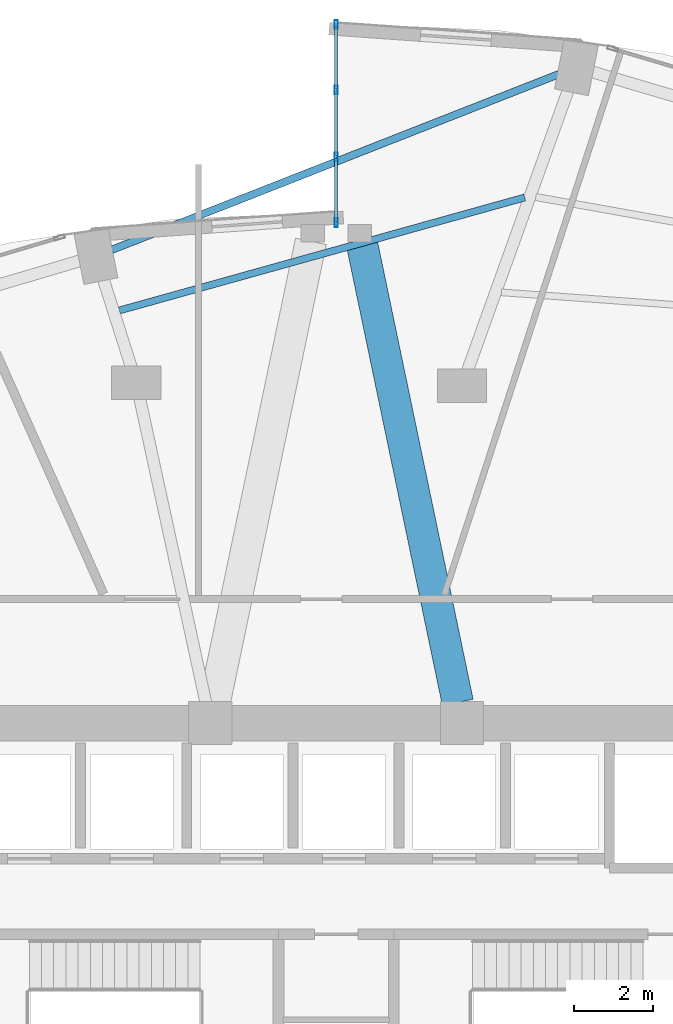
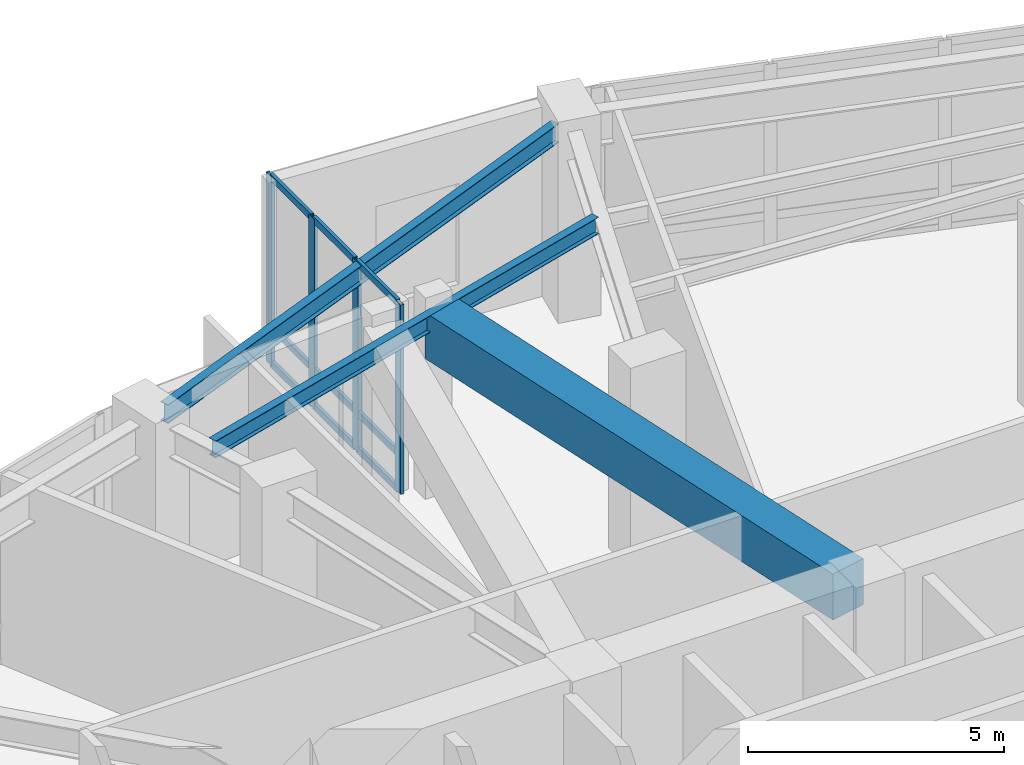
# One storey, part 15 of 24: 13 members, 3 beams, 1 element without a shape of its own.
"""IFC4 building model written with IfcOpenShell, lengths in metres."""

from ifc_helpers import new_model, si_unit, direction, frame, origin, origin_2d, place, context, subcontext, project, spatial, rectangle, hollow_rectangle, i_section, extrude, material, layer, layer_set, material_profile, profile_set, type_object, element, aggregate, save


model = new_model("IFC4")

# Units and contexts
model_context = context("Model", 3, precision=1e-05, world=origin(), true_north=direction((0.0, 1.0)))
body_context = subcontext(model_context, "Body", "Model", "MODEL_VIEW")
ifc_project = project(units=[si_unit("LENGTHUNIT", "METRE"), si_unit("AREAUNIT", "SQUARE_METRE"), si_unit("VOLUMEUNIT", "CUBIC_METRE"), si_unit("PLANEANGLEUNIT", "RADIAN"), si_unit("MASSUNIT", "GRAM", prefix="KILO")], contexts=[model_context])

# Site, building, storey
site_placement = place(None, origin())
site = spatial("IfcSite", under=ifc_project, at=site_placement, CompositionType="ELEMENT")
building_placement = place(site_placement, origin())
building = spatial("IfcBuilding", under=site, at=building_placement, Name="Lazwardi Medical Tower", CompositionType="ELEMENT")
storey_placement = place(building_placement, frame((0.0, 0.0, 6.0)))
storey = spatial("IfcBuildingStorey", under=building, at=storey_placement, Name="L01", CompositionType="ELEMENT", Elevation=6.0)

# Beams
ifc_material_1 = material(Name="Concrete C70/85", Category="concrete")
ifc_material_profile_1 = material_profile(ifc_material_1, rectangle(XDim=0.800048828125, YDim=1.10009765625, at=origin_2d()), Name="RC 800x1100")
ifc_profile_set_1 = profile_set([ifc_material_profile_1], Name="Concrete C70/85")
beam_type_1 = type_object("IfcBeamType", Name="BM-CB-RC1", PredefinedType="LINTEL", material=ifc_profile_set_1)
beam_1_placement = place(storey_placement, frame((39.090576171875, 36.123779296875, 3.969970703125), z_axis=(-0.204429747009, 0.978881238219, 0.0), x_axis=(-0.978881238219, -0.204429747009, 0.0)))
element("IfcBeam", 1, at=beam_1_placement, inside=storey, type_object=beam_type_1, Name="Core coupling lintel CB-01 PL2 L01", PredefinedType="LINTEL", context=body_context, shape_type="SweptSolid", body=[
    extrude(rectangle(XDim=0.800048828125, YDim=1.10009765625, at=origin_2d()), origin(), (0.0, 0.0, 1.0), 11.9736328125),
])
ifc_material_2 = material(Name="Steel S355", Category="steel")
ifc_material_profile_2 = material_profile(ifc_material_2, i_section(OverallWidth=0.179931640625, OverallDepth=0.39990234375, WebThickness=0.008544921875, FlangeThickness=0.013427734375, at=origin_2d()), Name="IPE 400")
ifc_profile_set_2 = profile_set([ifc_material_profile_2], Name="Steel S355")
beam_type_2 = type_object("IfcBeamType", Name="BM-SJ-01", PredefinedType="JOIST", material=ifc_profile_set_2)
beam_2_placement = place(storey_placement, frame((40.7919921875, 48.96044921875, 4.320068359375), z_axis=(-0.963291323829, -0.268458237788, 0.0), x_axis=(0.268458237788, -0.963291323829, 0.0)))
element("IfcBeam", 2, at=beam_2_placement, inside=storey, type_object=beam_type_2, Name="Secondary joist SJ-01 RO1 B08 L01", PredefinedType="JOIST", context=body_context, shape_type="SweptSolid", body=[
    extrude(i_section(OverallWidth=0.179931640625, OverallDepth=0.39990234375, WebThickness=0.008544921875, FlangeThickness=0.013427734375, at=origin_2d()), origin(), (0.0, 0.0, 1.0), 10.698486328125),
])
ifc_material_profile_3 = material_profile(ifc_material_2, i_section(OverallWidth=0.18994140625, OverallDepth=0.449951171875, WebThickness=0.009521484375, FlangeThickness=0.0146484375, at=origin_2d()), Name="IPE 450")
ifc_profile_set_3 = profile_set([ifc_material_profile_3], Name="Steel S355")
beam_type_3 = type_object("IfcBeamType", Name="BM-SP-01", PredefinedType="SPANDREL", material=ifc_profile_set_3)
beam_3_placement = place(storey_placement, frame((41.7060546875, 52.1142578125, 4.294921875), z_axis=(-0.930695337123, -0.365795283536, 0.0), x_axis=(0.365795283536, -0.930695337123, 0.0)))
element("IfcBeam", 3, at=beam_3_placement, inside=storey, type_object=beam_type_3, Name="Spandrel beam SP-01 B08 L01", PredefinedType="SPANDREL", context=body_context, shape_type="SweptSolid", body=[
    extrude(i_section(OverallWidth=0.18994140625, OverallDepth=0.449951171875, WebThickness=0.009521484375, FlangeThickness=0.0146484375, at=origin_2d()), origin(), (0.0, 0.0, 1.0), 12.261962890625),
])

# Curtain wall, members
ifc_material_3 = material(Name="Anodised bronze aluminium and solar control glazing", Category="aluminium")
ifc_layer = layer(ifc_material_3, 0.2099609375)
ifc_layer_set = layer_set([ifc_layer], Name="Anodised bronze aluminium and solar control glazing")
curtain_wall_type = type_object("IfcCurtainWallType", Name="CW-SYS-06", PredefinedType="NOTDEFINED", material=ifc_layer_set)
curtain_wall_placement = place(storey_placement, origin())
curtain_wall = element("IfcCurtainWall", 4, at=curtain_wall_placement, inside=storey, type_object=curtain_wall_type, Name="L01 Unitised bronze curtain wall CW-06", PredefinedType="NOTDEFINED")
ifc_material_4 = material(Name="Anodised bronze aluminium", Category="aluminium")
ifc_material_profile_4 = material_profile(ifc_material_4, hollow_rectangle(XDim=0.074951171875, YDim=0.219970703125, WallThickness=0.00390625, at=origin_2d()), Name="ALU-MULLION 220x75x4")
ifc_profile_set_4 = profile_set([ifc_material_profile_4], Name="Anodised bronze aluminium")
member_type_1 = type_object("IfcMemberType", Name="CW-MUL-01", PredefinedType="MULLION", material=ifc_profile_set_4)
member_1_placement = place(storey_placement, frame((36.0, 53.362548828125, 0.0), z_axis=(0.0, 0.0, 1.0), x_axis=(1.0, 0.0, 0.0)))
member_1 = element("IfcMember", 5, at=member_1_placement, type_object=member_type_1, Name="CW-06 mullion 1", PredefinedType="MULLION", context=body_context, shape_type="SweptSolid", body=[
    extrude(hollow_rectangle(XDim=0.074951171875, YDim=0.219970703125, WallThickness=0.00390625, at=origin_2d()), origin(), (0.0, 0.0, 1.0), 4.52001953125),
])
member_2_placement = place(storey_placement, frame((36.0, 51.693359375, 0.0), z_axis=(0.0, 0.0, 1.0), x_axis=(1.0, 0.0, 0.0)))
member_2 = element("IfcMember", 6, at=member_2_placement, type_object=member_type_1, Name="CW-06 mullion 2", PredefinedType="MULLION", context=body_context, shape_type="SweptSolid", body=[
    extrude(hollow_rectangle(XDim=0.074951171875, YDim=0.219970703125, WallThickness=0.00390625, at=origin_2d()), origin(), (0.0, 0.0, 1.0), 4.52001953125),
])
member_3_placement = place(storey_placement, frame((36.0, 49.986572265625, 0.0), z_axis=(0.0, 0.0, 1.0), x_axis=(1.0, 0.0, 0.0)))
member_3 = element("IfcMember", 7, at=member_3_placement, type_object=member_type_1, Name="CW-06 mullion 3", PredefinedType="MULLION", context=body_context, shape_type="SweptSolid", body=[
    extrude(hollow_rectangle(XDim=0.074951171875, YDim=0.219970703125, WallThickness=0.00390625, at=origin_2d()), origin(), (0.0, 0.0, 1.0), 4.52001953125),
])
member_4_placement = place(storey_placement, frame((36.0, 48.3173828125, 0.0), z_axis=(0.0, 0.0, 1.0), x_axis=(1.0, 0.0, 0.0)))
member_4 = element("IfcMember", 8, at=member_4_placement, type_object=member_type_1, Name="CW-06 mullion 4", PredefinedType="MULLION", context=body_context, shape_type="SweptSolid", body=[
    extrude(hollow_rectangle(XDim=0.074951171875, YDim=0.219970703125, WallThickness=0.00390625, at=origin_2d()), origin(), (0.0, 0.0, 1.0), 4.52001953125),
])
ifc_material_profile_5 = material_profile(ifc_material_4, hollow_rectangle(XDim=0.074951171875, YDim=0.159912109375, WallThickness=0.00390625, at=origin_2d()), Name="ALU-TRANSOM 160x75x4")
ifc_profile_set_5 = profile_set([ifc_material_profile_5], Name="Anodised bronze aluminium")
member_type_2 = type_object("IfcMemberType", Name="CW-TRN-01", PredefinedType="USERDEFINED", material=ifc_profile_set_5)
member_5_placement = place(storey_placement, frame((36.0, 53.324951171875, 0.03759765625), z_axis=(0.0, -1.0, 0.0), x_axis=(1.0, 0.0, 0.0)))
member_5 = element("IfcMember", 9, at=member_5_placement, type_object=member_type_2, Name="CW-06 transom 1.1", ObjectType="TRANSOM", PredefinedType="USERDEFINED", context=body_context, shape_type="SweptSolid", body=[
    extrude(hollow_rectangle(XDim=0.074951171875, YDim=0.159912109375, WallThickness=0.00390625, at=origin_2d()), origin(), (0.0, 0.0, 1.0), 1.59423828125),
])
member_6_placement = place(storey_placement, frame((36.0, 53.324951171875, 0.89990234375), z_axis=(0.0, -1.0, 0.0), x_axis=(1.0, 0.0, 0.0)))
member_6 = element("IfcMember", 10, at=member_6_placement, type_object=member_type_2, Name="CW-06 transom 1.2", ObjectType="TRANSOM", PredefinedType="USERDEFINED", context=body_context, shape_type="SweptSolid", body=[
    extrude(hollow_rectangle(XDim=0.074951171875, YDim=0.159912109375, WallThickness=0.00390625, at=origin_2d()), origin(), (0.0, 0.0, 1.0), 1.59423828125),
])
member_7_placement = place(storey_placement, frame((36.0, 53.324951171875, 4.482421875), z_axis=(0.0, -1.0, 0.0), x_axis=(1.0, 0.0, 0.0)))
member_7 = element("IfcMember", 11, at=member_7_placement, type_object=member_type_2, Name="CW-06 transom 1.3", ObjectType="TRANSOM", PredefinedType="USERDEFINED", context=body_context, shape_type="SweptSolid", body=[
    extrude(hollow_rectangle(XDim=0.074951171875, YDim=0.159912109375, WallThickness=0.00390625, at=origin_2d()), origin(), (0.0, 0.0, 1.0), 1.59423828125),
])
member_8_placement = place(storey_placement, frame((36.0, 51.65576171875, 0.03759765625), z_axis=(0.0, -1.0, 0.0), x_axis=(1.0, 0.0, 0.0)))
member_8 = element("IfcMember", 12, at=member_8_placement, type_object=member_type_2, Name="CW-06 transom 2.1", ObjectType="TRANSOM", PredefinedType="USERDEFINED", context=body_context, shape_type="SweptSolid", body=[
    extrude(hollow_rectangle(XDim=0.074951171875, YDim=0.159912109375, WallThickness=0.00390625, at=origin_2d()), origin(), (0.0, 0.0, 1.0), 1.631591796875),
])
member_9_placement = place(storey_placement, frame((36.0, 51.65576171875, 0.89990234375), z_axis=(0.0, -1.0, 0.0), x_axis=(1.0, 0.0, 0.0)))
member_9 = element("IfcMember", 13, at=member_9_placement, type_object=member_type_2, Name="CW-06 transom 2.2", ObjectType="TRANSOM", PredefinedType="USERDEFINED", context=body_context, shape_type="SweptSolid", body=[
    extrude(hollow_rectangle(XDim=0.074951171875, YDim=0.159912109375, WallThickness=0.00390625, at=origin_2d()), origin(), (0.0, 0.0, 1.0), 1.631591796875),
])
member_10_placement = place(storey_placement, frame((36.0, 51.65576171875, 4.482421875), z_axis=(0.0, -1.0, 0.0), x_axis=(1.0, 0.0, 0.0)))
member_10 = element("IfcMember", 14, at=member_10_placement, type_object=member_type_2, Name="CW-06 transom 2.3", ObjectType="TRANSOM", PredefinedType="USERDEFINED", context=body_context, shape_type="SweptSolid", body=[
    extrude(hollow_rectangle(XDim=0.074951171875, YDim=0.159912109375, WallThickness=0.00390625, at=origin_2d()), origin(), (0.0, 0.0, 1.0), 1.631591796875),
])
member_11_placement = place(storey_placement, frame((36.0, 49.94921875, 0.03759765625), z_axis=(0.0, -1.0, 0.0), x_axis=(1.0, 0.0, 0.0)))
member_11 = element("IfcMember", 15, at=member_11_placement, type_object=member_type_2, Name="CW-06 transom 3.1", ObjectType="TRANSOM", PredefinedType="USERDEFINED", context=body_context, shape_type="SweptSolid", body=[
    extrude(hollow_rectangle(XDim=0.074951171875, YDim=0.159912109375, WallThickness=0.00390625, at=origin_2d()), origin(), (0.0, 0.0, 1.0), 1.59423828125),
])
member_12_placement = place(storey_placement, frame((36.0, 49.94921875, 0.89990234375), z_axis=(0.0, -1.0, 0.0), x_axis=(1.0, 0.0, 0.0)))
member_12 = element("IfcMember", 16, at=member_12_placement, type_object=member_type_2, Name="CW-06 transom 3.2", ObjectType="TRANSOM", PredefinedType="USERDEFINED", context=body_context, shape_type="SweptSolid", body=[
    extrude(hollow_rectangle(XDim=0.074951171875, YDim=0.159912109375, WallThickness=0.00390625, at=origin_2d()), origin(), (0.0, 0.0, 1.0), 1.59423828125),
])
member_13_placement = place(storey_placement, frame((36.0, 49.94921875, 4.482421875), z_axis=(0.0, -1.0, 0.0), x_axis=(1.0, 0.0, 0.0)))
member_13 = element("IfcMember", 17, at=member_13_placement, type_object=member_type_2, Name="CW-06 transom 3.3", ObjectType="TRANSOM", PredefinedType="USERDEFINED", context=body_context, shape_type="SweptSolid", body=[
    extrude(hollow_rectangle(XDim=0.074951171875, YDim=0.159912109375, WallThickness=0.00390625, at=origin_2d()), origin(), (0.0, 0.0, 1.0), 1.59423828125),
])
aggregate(curtain_wall, [member_1, member_2, member_3, member_4, member_5, member_6, member_7, member_8, member_9, member_10, member_11, member_12, member_13])

save(model, "model.ifc")
